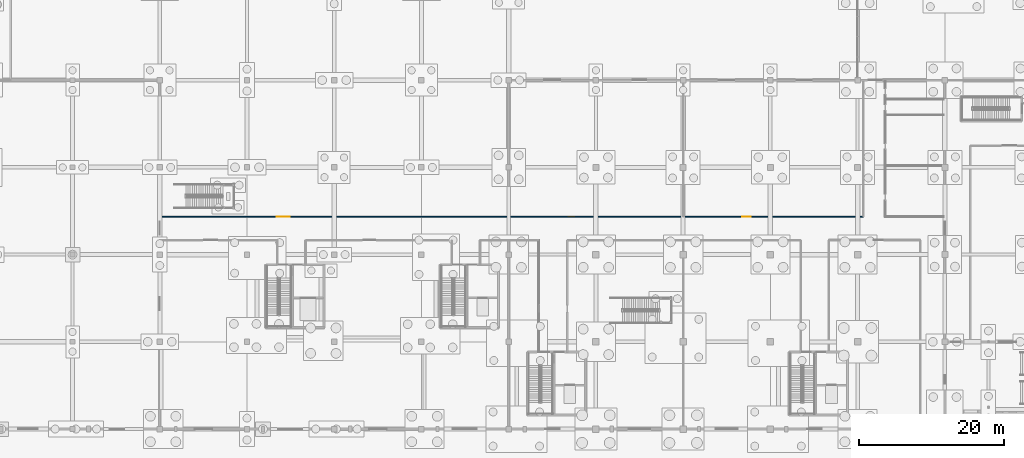
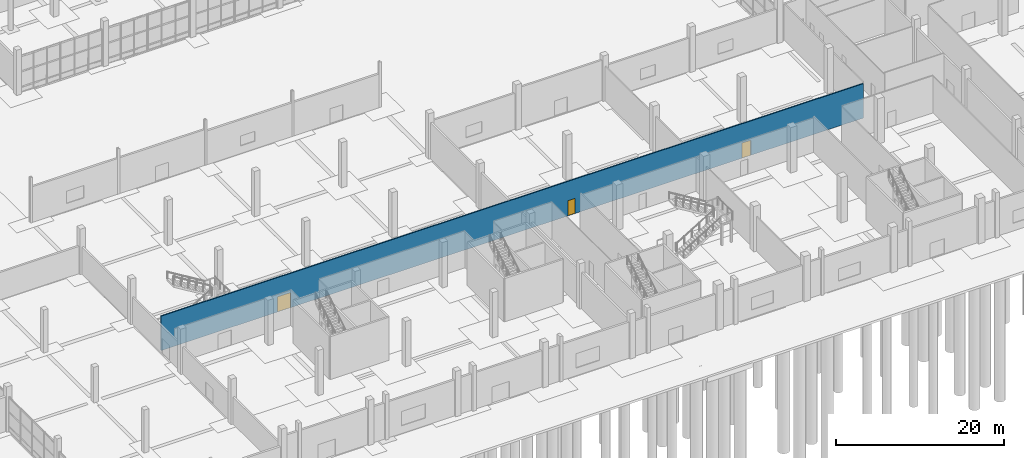
# One storey, part 84 of 117: 3 doors, 1 wall, 3 openings.
"""IFC4 building model written with IfcOpenShell, lengths in metres."""

import ifcopenshell
import ifcopenshell.guid

model = None  # the IFC model being written
_history = None  # IfcOwnerHistory: only IFC2X3 demands one
_inside = {}  # id of a spatial element -> (the spatial element, [elements in it])
_under = {}  # id of a project, library or spatial element -> (it, [spatial elements below it])
_declared = {}  # id of a project -> (the project, [libraries it declares])
_typed = {}  # id of a type object -> (the type object, [elements of that type])
_made_of = {}  # id of a material, layer set ... -> (it, [elements and type objects made of it])


def new_model(schema):
    """Start an empty IFC model of exactly this schema.

    Asked for "IFC4X3", IfcOpenShell would pick the latest addendum, in which some entities
    have other attributes; the version numbers below select the first issue.
    IFC2X3 requires an IfcOwnerHistory on every rooted entity: one is made here for all.
    """
    global model, _history
    if schema == "IFC4X3":
        model = ifcopenshell.file(schema_version=(4, 3, 0, 0))
    else:
        model = ifcopenshell.file(schema=schema)
    _inside.clear()
    _under.clear()
    _declared.clear()
    _typed.clear()
    _made_of.clear()
    _history = None
    if model.schema == "IFC2X3":
        org = make("IfcOrganization", Name="unknown")
        user = make(
            "IfcPersonAndOrganization",
            ThePerson=make("IfcPerson", FamilyName="unknown"),
            TheOrganization=org,
        )
        app = make(
            "IfcApplication",
            ApplicationDeveloper=org,
            Version="unknown",
            ApplicationFullName="unknown",
            ApplicationIdentifier="unknown",
        )
        _history = make(
            "IfcOwnerHistory",
            OwningUser=user,
            OwningApplication=app,
            ChangeAction="ADDED",
            CreationDate=0,
        )
    return model


def make(cls, **values):
    """One entity of the class cls with the attributes given. An attribute that is None is left unset."""
    return model.create_entity(
        cls, **{name: value for name, value in values.items() if value is not None}
    )


def rooted(cls, **values):
    """An entity with a GlobalId (a new one), such as an element, a storey or a relation."""
    return make(cls, GlobalId=ifcopenshell.guid.new(), OwnerHistory=_history, **values)


def si_unit(unit_type, name, prefix=None):
    """IfcSIUnit, for example si_unit("LENGTHUNIT", "METRE", prefix="MILLI")."""
    return make("IfcSIUnit", UnitType=unit_type, Prefix=prefix, Name=name)


def assignment(units):
    """IfcUnitAssignment: the units of a project."""
    return None if units is None else make("IfcUnitAssignment", Units=units)


def point(xyz):
    """IfcCartesianPoint."""
    return None if xyz is None else make("IfcCartesianPoint", Coordinates=xyz)


def direction(xyz):
    """IfcDirection."""
    return None if xyz is None else make("IfcDirection", DirectionRatios=xyz)


def frame(location, z_axis=None, x_axis=None):
    """IfcAxis2Placement3D, a coordinate frame: its origin and axes. An axis left out is left unset."""
    return make(
        "IfcAxis2Placement3D",
        Location=point(location),
        Axis=direction(z_axis),
        RefDirection=direction(x_axis),
    )


def frame_2d(location, x_axis=None):
    """IfcAxis2Placement2D, a coordinate frame in the plane: its origin and x axis."""
    return make(
        "IfcAxis2Placement2D", Location=point(location), RefDirection=direction(x_axis)
    )


def origin():
    """The frame at (0, 0, 0) with its axes left unset."""
    return frame((0.0, 0.0, 0.0))


def place(relative_to, where):
    """IfcLocalPlacement: puts the frame where relative to a parent placement (None: the world)."""
    return make(
        "IfcLocalPlacement", PlacementRelTo=relative_to, RelativePlacement=where
    )


def context(
    kind, dimensions, precision=None, world=None, true_north=None, identifier=None
):
    """IfcGeometricRepresentationContext, for example the 3D "Model" context."""
    return make(
        "IfcGeometricRepresentationContext",
        ContextIdentifier=identifier,
        ContextType=kind,
        CoordinateSpaceDimension=dimensions,
        Precision=precision,
        WorldCoordinateSystem=world,
        TrueNorth=true_north,
    )


def subcontext(parent, identifier, kind, view, scale=None):
    """IfcGeometricRepresentationSubContext, for example "Body" below "Model"."""
    return make(
        "IfcGeometricRepresentationSubContext",
        ContextIdentifier=identifier,
        ContextType=kind,
        ParentContext=parent,
        TargetScale=scale,
        TargetView=view,
    )


def project(units=None, contexts=None):
    """IfcProject with its units and contexts."""
    return rooted(
        "IfcProject",
        Name="project",
        RepresentationContexts=contexts,
        UnitsInContext=assignment(units),
    )


def spatial(cls, under=None, at=None, **own):
    """A site, building, storey or space (cls), placed at a placement, below another one or the project."""
    s = rooted(cls, ObjectPlacement=at, **own)
    if under is not None:
        _under.setdefault(under.id(), (under, []))[1].append(s)
    return s


def profile(cls, at=None, kind="AREA", **sizes):
    """A parametric profile (cls). Its sizes go by their IFC names, for example OverallWidth=200.0."""
    return make(cls, ProfileType=kind, Position=at, **sizes)


def rectangle(**sizes):
    """IfcRectangleProfileDef."""
    return profile("IfcRectangleProfileDef", **sizes)


def extrude(swept, where, along, depth):
    """IfcExtrudedAreaSolid: the profile swept, set in the frame where, extruded along a direction by depth."""
    return make(
        "IfcExtrudedAreaSolid",
        SweptArea=swept,
        Position=where,
        ExtrudedDirection=direction(along),
        Depth=depth,
    )


def shape(context_of_items, identifier, shape_type, items):
    """IfcShapeRepresentation: the items that make up one representation, for example the "Body"."""
    return make(
        "IfcShapeRepresentation",
        ContextOfItems=context_of_items,
        RepresentationIdentifier=identifier,
        RepresentationType=shape_type,
        Items=items,
    )


def material(Name=None, Category=None):
    """IfcMaterial."""
    return make("IfcMaterial", Name=Name, Category=Category)


def layer(
    of_material, thickness, ventilated=None, Name=None, Category=None, Priority=None
):
    """IfcMaterialLayer: one layer of a wall or slab, of a material (None: an air gap)."""
    return make(
        "IfcMaterialLayer",
        Material=of_material,
        LayerThickness=thickness,
        IsVentilated=ventilated,
        Name=Name,
        Category=Category,
        Priority=Priority,
    )


def layer_set(layers, Name=None):
    """IfcMaterialLayerSet."""
    return make("IfcMaterialLayerSet", MaterialLayers=layers, LayerSetName=Name)


def made_of(thing, what):
    """Note that an element or type object is made of a material, layer set ...; save() writes the relation."""
    if what is not None:
        _made_of.setdefault(what.id(), (what, []))[1].append(thing)
    return thing


def type_object(cls, material=None, **own):
    """A type object (cls), such as IfcWallType, which elements share."""
    return made_of(rooted(cls, **own), material)


def element(
    cls,
    number,
    at=None,
    inside=None,
    cuts=None,
    type_object=None,
    material=None,
    context=None,
    identifier="Body",
    shape_type=None,
    held_by="IfcProductDefinitionShape",
    body=None,
    shapes=None,
    **own,
):
    """One element of the class cls, such as IfcWall. Its Tag is "e" and its number.

    at: its placement. inside: the storey or other place that contains it. cuts: it is an
    opening in that element (IfcRelVoidsElement). A single representation is given by context,
    identifier, shape_type and body (its items); several are given by shapes. held_by: the class
    of the entity that holds the representations. save() writes the other relations.
    """
    e = rooted(cls, Tag="e%d" % number, ObjectPlacement=at, **own)
    if body is not None:
        shapes = [shape(context, identifier, shape_type, body)]
    if shapes is not None:
        e.Representation = make(held_by, Representations=shapes)
    if inside is not None:
        _inside.setdefault(inside.id(), (inside, []))[1].append(e)
    if cuts is not None:
        rooted(
            "IfcRelVoidsElement", RelatingBuildingElement=cuts, RelatedOpeningElement=e
        )
    if type_object is not None:
        _typed.setdefault(type_object.id(), (type_object, []))[1].append(e)
    return made_of(e, material)


def fill(opening, filler):
    """IfcRelFillsElement: the door or window that sits in an opening."""
    return rooted(
        "IfcRelFillsElement",
        RelatingOpeningElement=opening,
        RelatedBuildingElement=filler,
    )


def aggregate(whole, parts):
    """IfcRelAggregates: a whole, such as a stair, and the parts it consists of."""
    return rooted("IfcRelAggregates", RelatingObject=whole, RelatedObjects=parts)


def save(model, path):
    """Write the relations noted so far, then the file.

    IfcRelAggregates (storeys below a building ...), IfcRelContainedInSpatialStructure (elements
    in a storey), IfcRelDefinesByType, IfcRelAssociatesMaterial and IfcRelDeclares: one each for
    every whole, place, type object, material and project.
    """
    for whole, parts in _under.values():
        aggregate(whole, parts)
    for where, things in _inside.values():
        rooted(
            "IfcRelContainedInSpatialStructure",
            RelatedElements=things,
            RelatingStructure=where,
        )
    for kind, things in _typed.values():
        rooted("IfcRelDefinesByType", RelatedObjects=things, RelatingType=kind)
    for what, things in _made_of.values():
        rooted("IfcRelAssociatesMaterial", RelatedObjects=things, RelatingMaterial=what)
    for by, libraries in _declared.values():
        rooted("IfcRelDeclares", RelatingContext=by, RelatedDefinitions=libraries)
    model.write(path)


model = new_model("IFC4")

# Units and contexts
model_context = context("Model", 3, precision=1e-05, world=origin(), true_north=direction((0.0, 1.0)))
body_context = subcontext(model_context, "Body", "Model", "MODEL_VIEW")
ifc_project = project(units=[si_unit("LENGTHUNIT", "METRE"), si_unit("AREAUNIT", "SQUARE_METRE"), si_unit("VOLUMEUNIT", "CUBIC_METRE"), si_unit("PLANEANGLEUNIT", "RADIAN"), si_unit("MASSUNIT", "GRAM", prefix="KILO")], contexts=[model_context])

# Site, building, storey
site_placement = place(None, origin())
site = spatial("IfcSite", under=ifc_project, at=site_placement, CompositionType="ELEMENT")
building_placement = place(site_placement, origin())
building = spatial("IfcBuilding", under=site, at=building_placement, Name="Kamomehara Wholesale Market", CompositionType="ELEMENT")
storey_placement = place(building_placement, origin())
storey = spatial("IfcBuildingStorey", under=building, at=storey_placement, Name="L00", CompositionType="ELEMENT", Elevation=0.0)

# Wall, openings, doors
ifc_material_1 = material(Name="Gypsum board partition")
ifc_layer = layer(ifc_material_1, 0.14990234375)
ifc_layer_set = layer_set([ifc_layer], Name="Gypsum board partition")
wall_type = type_object("IfcWallType", Name="IW-PRT-150", PredefinedType="PARTITIONING", material=ifc_layer_set)
wall_placement = place(storey_placement, frame((60.110107421875, 41.199951171875, 0.0), z_axis=(0.0, 0.0, 1.0), x_axis=(1.0, 0.0, 0.0)))
wall = element("IfcWall", 1, at=wall_placement, inside=storey, type_object=wall_type, Name="Interior wall IW-PRT-150 255", PredefinedType="PARTITIONING", context=body_context, shape_type="SweptSolid", body=[
    extrude(rectangle(XDim=96.68994140625, YDim=0.14990234375, at=frame_2d((48.344970703125, 0.0))), origin(), (0.0, 0.0, 1.0), 5.012939453125),
])
opening_1_placement = place(wall_placement, frame((16.0, 0.0, 0.0)))
opening_1 = element("IfcOpeningElement", 2, at=opening_1_placement, cuts=wall, Name="Opening ID-L00-156", PredefinedType="OPENING", context=body_context, shape_type="SweptSolid", body=[
    extrude(rectangle(XDim=1.800048828125, YDim=2.199951171875, at=frame_2d((0.89990234375, 1.10009765625))), frame((0.0, 0.08984375, 0.0), z_axis=(0.0, -1.0, 0.0), x_axis=(1.0, 0.0, 0.0)), (0.0, 0.0, 1.0), 0.1796875),
])
opening_2_placement = place(wall_placement, frame((56.0, 0.0, 0.0)))
opening_2 = element("IfcOpeningElement", 3, at=opening_2_placement, cuts=wall, Name="Opening ID-L00-157", PredefinedType="OPENING", context=body_context, shape_type="SweptSolid", body=[
    extrude(rectangle(XDim=1.0, YDim=2.199951171875, at=frame_2d((0.5, 1.10009765625))), frame((0.0, 0.08984375, 0.0), z_axis=(0.0, -1.0, 0.0), x_axis=(1.0, 0.0, 0.0)), (0.0, 0.0, 1.0), 0.1796875),
])
opening_3_placement = place(wall_placement, frame((80.0, 0.0, 0.0)))
opening_3 = element("IfcOpeningElement", 4, at=opening_3_placement, cuts=wall, Name="Opening ID-L00-158", PredefinedType="OPENING", context=body_context, shape_type="SweptSolid", body=[
    extrude(rectangle(XDim=1.199951171875, YDim=2.199951171875, at=frame_2d((0.60009765625, 1.10009765625))), frame((0.0, 0.08984375, 0.0), z_axis=(0.0, -1.0, 0.0), x_axis=(1.0, 0.0, 0.0)), (0.0, 0.0, 1.0), 0.1796875),
])
ifc_material_2 = material(Name="Steel SN400B", Category="steel")
door_type_1 = type_object("IfcDoorType", Name="IDR-FD-1200x2200", OperationType="NOTDEFINED", PredefinedType="DOOR", material=ifc_material_2)
door_1_placement = place(opening_3_placement, origin())
door_1 = element("IfcDoor", 5, at=door_1_placement, inside=storey, type_object=door_type_1, Name="Interior door ID-L00-158", OperationType="SINGLE_SWING_RIGHT", OverallHeight=2.199951171875, OverallWidth=1.199951171875, PredefinedType="DOOR", context=body_context, shape_type="SweptSolid", body=[
    extrude(rectangle(XDim=1.199951171875, YDim=2.199951171875, at=frame_2d((0.60009765625, 1.10009765625))), frame((0.0, 0.02490234375, 0.0), z_axis=(0.0, -1.0, 0.0), x_axis=(1.0, 0.0, 0.0)), (0.0, 0.0, 1.0), 0.050048828125),
])
fill(opening_3, door_1)
ifc_material_3 = material(Name="Steel SN400B", Category="steel")
door_type_2 = type_object("IfcDoorType", Name="IDR-FD-1800x2200", OperationType="NOTDEFINED", PredefinedType="DOOR", material=ifc_material_3)
door_2_placement = place(opening_1_placement, origin())
door_2 = element("IfcDoor", 6, at=door_2_placement, inside=storey, type_object=door_type_2, Name="Interior door ID-L00-156", OperationType="SINGLE_SWING_RIGHT", OverallHeight=2.199951171875, OverallWidth=1.800048828125, PredefinedType="DOOR", context=body_context, shape_type="SweptSolid", body=[
    extrude(rectangle(XDim=1.800048828125, YDim=2.199951171875, at=frame_2d((0.89990234375, 1.10009765625))), frame((0.0, 0.02490234375, 0.0), z_axis=(0.0, -1.0, 0.0), x_axis=(1.0, 0.0, 0.0)), (0.0, 0.0, 1.0), 0.050048828125),
])
fill(opening_1, door_2)
ifc_material_4 = material(Name="Anodised aluminium 6063-T5", Category="aluminium")
door_type_3 = type_object("IfcDoorType", Name="IDR-RM-1000x2200", OperationType="NOTDEFINED", PredefinedType="DOOR", material=ifc_material_4)
door_3_placement = place(opening_2_placement, origin())
door_3 = element("IfcDoor", 7, at=door_3_placement, inside=storey, type_object=door_type_3, Name="Interior door ID-L00-157", OperationType="SINGLE_SWING_LEFT", OverallHeight=2.199951171875, OverallWidth=1.0, PredefinedType="DOOR", context=body_context, shape_type="SweptSolid", body=[
    extrude(rectangle(XDim=1.0, YDim=2.199951171875, at=frame_2d((0.5, 1.10009765625))), frame((0.0, 0.02490234375, 0.0), z_axis=(0.0, -1.0, 0.0), x_axis=(1.0, 0.0, 0.0)), (0.0, 0.0, 1.0), 0.050048828125),
])
fill(opening_2, door_3)

save(model, "model.ifc")
